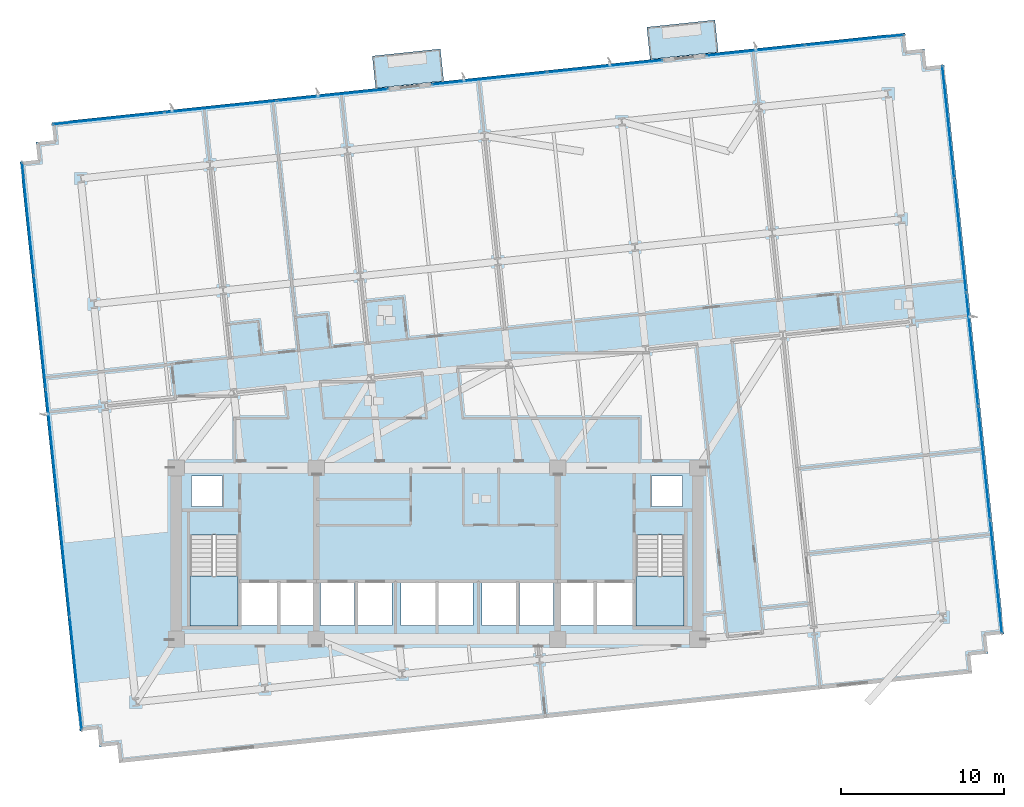
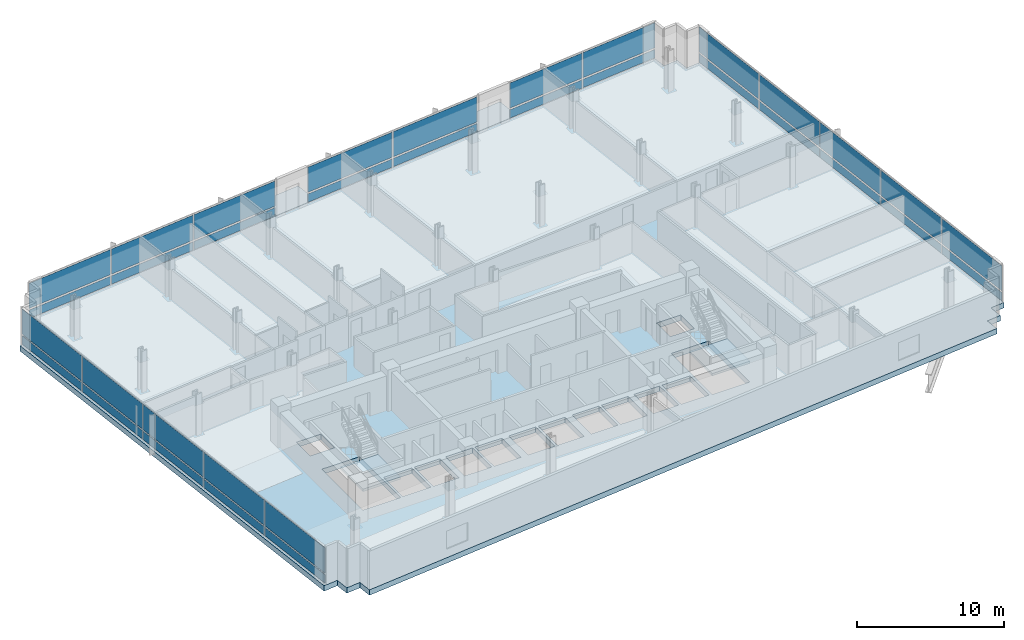
# One storey, part 9 of 18: 34 plates, 5 slabs, 7 elements without a shape of their own.
"""IFC4 building model written with IfcOpenShell, lengths in metres."""

from ifc_helpers import new_model, si_unit, direction, frame, origin, origin_2d, place, context, subcontext, project, spatial, polyline, rectangle, outline, extrude, material, layer, layer_set, type_object, element, aggregate, save


model = new_model("IFC4")

# Units and contexts
model_context = context("Model", 3, precision=1e-05, world=origin(), true_north=direction((0.0, 1.0)))
body_context = subcontext(model_context, "Body", "Model", "MODEL_VIEW")
ifc_project = project(units=[si_unit("LENGTHUNIT", "METRE"), si_unit("AREAUNIT", "SQUARE_METRE"), si_unit("VOLUMEUNIT", "CUBIC_METRE"), si_unit("PLANEANGLEUNIT", "RADIAN"), si_unit("MASSUNIT", "GRAM", prefix="KILO")], contexts=[model_context])

# Site, building, storey
site_placement = place(None, origin())
site = spatial("IfcSite", under=ifc_project, at=site_placement, CompositionType="ELEMENT")
building_placement = place(site_placement, origin())
building = spatial("IfcBuilding", under=site, at=building_placement, Name="Solmavex Isthmus Hotel", CompositionType="ELEMENT")
storey_placement = place(building_placement, frame((0.0, 0.0, 80.10009765625)))
storey = spatial("IfcBuildingStorey", under=building, at=storey_placement, Name="L21", CompositionType="ELEMENT", Elevation=80.10009765625)

# Curtain wall, plates
ifc_material_1 = material(Name="Aluminium alloy 6063-T6", Category="aluminium")
curtain_wall_type = type_object("IfcCurtainWallType", Name="CW-SYS-03", PredefinedType="NOTDEFINED", material=ifc_material_1)
curtain_wall_1_placement = place(storey_placement, origin())
curtain_wall_1 = element("IfcCurtainWall", 1, at=curtain_wall_1_placement, inside=storey, type_object=curtain_wall_type, Name="Stick Curtain Wall CWL-L21-N1", PredefinedType="NOTDEFINED")
ifc_material_2 = material(Name="Clear low-E laminated glass", Category="glass")
ifc_layer_1 = layer(ifc_material_2, 0.030029296875)
ifc_layer_set_1 = layer_set([ifc_layer_1], Name="Clear low-E laminated glass")
plate_type = type_object("IfcPlateType", Name="CW-SYS-03-PNL", PredefinedType="CURTAIN_PANEL", material=ifc_layer_set_1)
plate_1_placement = place(storey_placement, frame((-20.148193359375, 18.93701171875, 0.139892578125), z_axis=(0.0, 0.0, 1.0), x_axis=(0.994521910366, 0.10452832057, 0.0)))
plate_1 = element("IfcPlate", 2, at=plate_1_placement, type_object=plate_type, Name="CW-03 panel 1.1", PredefinedType="CURTAIN_PANEL", context=body_context, shape_type="SweptSolid", body=[
    extrude(rectangle(XDim=6.8173828125, YDim=0.030029296875, at=origin_2d()), origin(), (0.0, 0.0, 1.0), 0.68994140625),
])
plate_2_placement = place(storey_placement, frame((-20.148193359375, 18.93701171875, 0.969970703125), z_axis=(0.0, 0.0, 1.0), x_axis=(0.994521910366, 0.10452832057, 0.0)))
plate_2 = element("IfcPlate", 3, at=plate_2_placement, type_object=plate_type, Name="CW-03 panel 1.2", PredefinedType="CURTAIN_PANEL", context=body_context, shape_type="SweptSolid", body=[
    extrude(rectangle(XDim=6.8173828125, YDim=0.030029296875, at=origin_2d()), origin(), (0.0, 0.0, 1.0), 2.080078125),
])
plate_3_placement = place(storey_placement, frame((-13.28125, 19.65869140625, 0.139892578125), z_axis=(0.0, 0.0, 1.0), x_axis=(0.994521910366, 0.10452832057, 0.0)))
plate_3 = element("IfcPlate", 4, at=plate_3_placement, type_object=plate_type, Name="CW-03 panel 2.1", PredefinedType="CURTAIN_PANEL", context=body_context, shape_type="SweptSolid", body=[
    extrude(rectangle(XDim=6.852294921875, YDim=0.030029296875, at=origin_2d()), origin(), (0.0, 0.0, 1.0), 0.68994140625),
])
plate_4_placement = place(storey_placement, frame((-13.28125, 19.65869140625, 0.969970703125), z_axis=(0.0, 0.0, 1.0), x_axis=(0.994521910366, 0.10452832057, 0.0)))
plate_4 = element("IfcPlate", 5, at=plate_4_placement, type_object=plate_type, Name="CW-03 panel 2.2", PredefinedType="CURTAIN_PANEL", context=body_context, shape_type="SweptSolid", body=[
    extrude(rectangle(XDim=6.852294921875, YDim=0.030029296875, at=origin_2d()), origin(), (0.0, 0.0, 1.0), 2.080078125),
])
plate_5_placement = place(storey_placement, frame((-6.414306640625, 20.38037109375, 0.139892578125), z_axis=(0.0, 0.0, 1.0), x_axis=(0.994521910366, 0.10452832057, 0.0)))
plate_5 = element("IfcPlate", 6, at=plate_5_placement, type_object=plate_type, Name="CW-03 panel 3.1", PredefinedType="CURTAIN_PANEL", context=body_context, shape_type="SweptSolid", body=[
    extrude(rectangle(XDim=6.8173828125, YDim=0.030029296875, at=origin_2d()), origin(), (0.0, 0.0, 1.0), 0.68994140625),
])
plate_6_placement = place(storey_placement, frame((-6.414306640625, 20.38037109375, 0.969970703125), z_axis=(0.0, 0.0, 1.0), x_axis=(0.994521910366, 0.10452832057, 0.0)))
plate_6 = element("IfcPlate", 7, at=plate_6_placement, type_object=plate_type, Name="CW-03 panel 3.2", PredefinedType="CURTAIN_PANEL", context=body_context, shape_type="SweptSolid", body=[
    extrude(rectangle(XDim=6.8173828125, YDim=0.030029296875, at=origin_2d()), origin(), (0.0, 0.0, 1.0), 2.080078125),
])
aggregate(curtain_wall_1, [plate_1, plate_2, plate_3, plate_4, plate_5, plate_6])

curtain_wall_2_placement = place(storey_placement, origin())
curtain_wall_2 = element("IfcCurtainWall", 8, at=curtain_wall_2_placement, inside=storey, type_object=curtain_wall_type, Name="Stick Curtain Wall CWL-L21-N2", PredefinedType="NOTDEFINED")
plate_7_placement = place(storey_placement, frame((3.2119140625, 21.392333984375, 0.139892578125), z_axis=(0.0, 0.0, 1.0), x_axis=(0.994521838546, 0.10452900389, 0.0)))
plate_7 = element("IfcPlate", 9, at=plate_7_placement, type_object=plate_type, Name="CW-03 panel 1.1", PredefinedType="CURTAIN_PANEL", context=body_context, shape_type="SweptSolid", body=[
    extrude(rectangle(XDim=7.06103515625, YDim=0.030029296875, at=origin_2d()), origin(), (0.0, 0.0, 1.0), 0.68994140625),
])
plate_8_placement = place(storey_placement, frame((3.2119140625, 21.392333984375, 0.969970703125), z_axis=(0.0, 0.0, 1.0), x_axis=(0.994521838546, 0.10452900389, 0.0)))
plate_8 = element("IfcPlate", 10, at=plate_8_placement, type_object=plate_type, Name="CW-03 panel 1.2", PredefinedType="CURTAIN_PANEL", context=body_context, shape_type="SweptSolid", body=[
    extrude(rectangle(XDim=7.06103515625, YDim=0.030029296875, at=origin_2d()), origin(), (0.0, 0.0, 1.0), 2.080078125),
])
plate_9_placement = place(storey_placement, frame((10.303955078125, 22.1376953125, 0.139892578125), z_axis=(0.0, 0.0, 1.0), x_axis=(0.994521838546, 0.10452900389, 0.0)))
plate_9 = element("IfcPlate", 11, at=plate_9_placement, type_object=plate_type, Name="CW-03 panel 2.1", PredefinedType="CURTAIN_PANEL", context=body_context, shape_type="SweptSolid", body=[
    extrude(rectangle(XDim=7.06103515625, YDim=0.030029296875, at=origin_2d()), origin(), (0.0, 0.0, 1.0), 0.68994140625),
])
plate_10_placement = place(storey_placement, frame((10.303955078125, 22.1376953125, 0.969970703125), z_axis=(0.0, 0.0, 1.0), x_axis=(0.994521838546, 0.10452900389, 0.0)))
plate_10 = element("IfcPlate", 12, at=plate_10_placement, type_object=plate_type, Name="CW-03 panel 2.2", PredefinedType="CURTAIN_PANEL", context=body_context, shape_type="SweptSolid", body=[
    extrude(rectangle(XDim=7.06103515625, YDim=0.030029296875, at=origin_2d()), origin(), (0.0, 0.0, 1.0), 2.080078125),
])
aggregate(curtain_wall_2, [plate_7, plate_8, plate_9, plate_10])

curtain_wall_3_placement = place(storey_placement, origin())
curtain_wall_3 = element("IfcCurtainWall", 13, at=curtain_wall_3_placement, inside=storey, type_object=curtain_wall_type, Name="Stick Curtain Wall CWL-L21-N3", PredefinedType="NOTDEFINED")
plate_11_placement = place(storey_placement, frame((19.546142578125, 23.109130859375, 0.139892578125), z_axis=(0.0, 0.0, 1.0), x_axis=(0.994521931062, 0.104528123665, 0.0)))
plate_11 = element("IfcPlate", 14, at=plate_11_placement, type_object=plate_type, Name="CW-03 panel 1.1", PredefinedType="CURTAIN_PANEL", context=body_context, shape_type="SweptSolid", body=[
    extrude(rectangle(XDim=6.04541015625, YDim=0.030029296875, at=origin_2d()), origin(), (0.0, 0.0, 1.0), 0.68994140625),
])
plate_12_placement = place(storey_placement, frame((19.546142578125, 23.109130859375, 0.969970703125), z_axis=(0.0, 0.0, 1.0), x_axis=(0.994521931062, 0.104528123665, 0.0)))
plate_12 = element("IfcPlate", 15, at=plate_12_placement, type_object=plate_type, Name="CW-03 panel 1.2", PredefinedType="CURTAIN_PANEL", context=body_context, shape_type="SweptSolid", body=[
    extrude(rectangle(XDim=6.04541015625, YDim=0.030029296875, at=origin_2d()), origin(), (0.0, 0.0, 1.0), 2.080078125),
])
plate_13_placement = place(storey_placement, frame((25.628173828125, 23.748291015625, 0.139892578125), z_axis=(0.0, 0.0, 1.0), x_axis=(0.994521931062, 0.104528123665, 0.0)))
plate_13 = element("IfcPlate", 16, at=plate_13_placement, type_object=plate_type, Name="CW-03 panel 2.1", PredefinedType="CURTAIN_PANEL", context=body_context, shape_type="SweptSolid", body=[
    extrude(rectangle(XDim=6.04541015625, YDim=0.030029296875, at=origin_2d()), origin(), (0.0, 0.0, 1.0), 0.68994140625),
])
plate_14_placement = place(storey_placement, frame((25.628173828125, 23.748291015625, 0.969970703125), z_axis=(0.0, 0.0, 1.0), x_axis=(0.994521931062, 0.104528123665, 0.0)))
plate_14 = element("IfcPlate", 17, at=plate_14_placement, type_object=plate_type, Name="CW-03 panel 2.2", PredefinedType="CURTAIN_PANEL", context=body_context, shape_type="SweptSolid", body=[
    extrude(rectangle(XDim=6.04541015625, YDim=0.030029296875, at=origin_2d()), origin(), (0.0, 0.0, 1.0), 2.080078125),
])
aggregate(curtain_wall_3, [plate_11, plate_12, plate_13, plate_14])

curtain_wall_4_placement = place(storey_placement, origin())
curtain_wall_4 = element("IfcCurtainWall", 18, at=curtain_wall_4_placement, inside=storey, type_object=curtain_wall_type, Name="Stick Curtain Wall CWL-L21-W1", PredefinedType="NOTDEFINED")
plate_15_placement = place(storey_placement, frame((-22.15869140625, -15.1123046875, 0.139892578125), z_axis=(0.0, 0.0, 1.0), x_axis=(-0.104528485381, 0.994521893044, 0.0)))
plate_15 = element("IfcPlate", 19, at=plate_15_placement, type_object=plate_type, Name="CW-03 panel 1.1", PredefinedType="CURTAIN_PANEL", context=body_context, shape_type="SweptSolid", body=[
    extrude(rectangle(XDim=6.9150390625, YDim=0.030029296875, at=origin_2d()), origin(), (0.0, 0.0, 1.0), 0.68994140625),
])
plate_16_placement = place(storey_placement, frame((-22.15869140625, -15.1123046875, 0.969970703125), z_axis=(0.0, 0.0, 1.0), x_axis=(-0.104528485381, 0.994521893044, 0.0)))
plate_16 = element("IfcPlate", 20, at=plate_16_placement, type_object=plate_type, Name="CW-03 panel 1.2", PredefinedType="CURTAIN_PANEL", context=body_context, shape_type="SweptSolid", body=[
    extrude(rectangle(XDim=6.9150390625, YDim=0.030029296875, at=origin_2d()), origin(), (0.0, 0.0, 1.0), 2.080078125),
])
plate_17_placement = place(storey_placement, frame((-22.890625, -8.14794921875, 0.139892578125), z_axis=(0.0, 0.0, 1.0), x_axis=(-0.104528485381, 0.994521893044, 0.0)))
plate_17 = element("IfcPlate", 21, at=plate_17_placement, type_object=plate_type, Name="CW-03 panel 2.1", PredefinedType="CURTAIN_PANEL", context=body_context, shape_type="SweptSolid", body=[
    extrude(rectangle(XDim=6.949951171875, YDim=0.030029296875, at=origin_2d()), origin(), (0.0, 0.0, 1.0), 0.68994140625),
])
plate_18_placement = place(storey_placement, frame((-22.890625, -8.14794921875, 0.969970703125), z_axis=(0.0, 0.0, 1.0), x_axis=(-0.104528485381, 0.994521893044, 0.0)))
plate_18 = element("IfcPlate", 22, at=plate_18_placement, type_object=plate_type, Name="CW-03 panel 2.2", PredefinedType="CURTAIN_PANEL", context=body_context, shape_type="SweptSolid", body=[
    extrude(rectangle(XDim=6.949951171875, YDim=0.030029296875, at=origin_2d()), origin(), (0.0, 0.0, 1.0), 2.080078125),
])
plate_19_placement = place(storey_placement, frame((-23.62451171875, -1.16650390625, 0.139892578125), z_axis=(0.0, 0.0, 1.0), x_axis=(-0.104528485381, 0.994521893044, 0.0)))
plate_19 = element("IfcPlate", 23, at=plate_19_placement, type_object=plate_type, Name="CW-03 panel 3.1", PredefinedType="CURTAIN_PANEL", context=body_context, shape_type="SweptSolid", body=[
    extrude(rectangle(XDim=6.949951171875, YDim=0.030029296875, at=origin_2d()), origin(), (0.0, 0.0, 1.0), 0.68994140625),
])
plate_20_placement = place(storey_placement, frame((-23.62451171875, -1.16650390625, 0.969970703125), z_axis=(0.0, 0.0, 1.0), x_axis=(-0.104528485381, 0.994521893044, 0.0)))
plate_20 = element("IfcPlate", 24, at=plate_20_placement, type_object=plate_type, Name="CW-03 panel 3.2", PredefinedType="CURTAIN_PANEL", context=body_context, shape_type="SweptSolid", body=[
    extrude(rectangle(XDim=6.949951171875, YDim=0.030029296875, at=origin_2d()), origin(), (0.0, 0.0, 1.0), 2.080078125),
])
plate_21_placement = place(storey_placement, frame((-24.3583984375, 5.81494140625, 0.139892578125), z_axis=(0.0, 0.0, 1.0), x_axis=(-0.104528485381, 0.994521893044, 0.0)))
plate_21 = element("IfcPlate", 25, at=plate_21_placement, type_object=plate_type, Name="CW-03 panel 4.1", PredefinedType="CURTAIN_PANEL", context=body_context, shape_type="SweptSolid", body=[
    extrude(rectangle(XDim=6.949951171875, YDim=0.030029296875, at=origin_2d()), origin(), (0.0, 0.0, 1.0), 0.68994140625),
])
plate_22_placement = place(storey_placement, frame((-24.3583984375, 5.81494140625, 0.969970703125), z_axis=(0.0, 0.0, 1.0), x_axis=(-0.104528485381, 0.994521893044, 0.0)))
plate_22 = element("IfcPlate", 26, at=plate_22_placement, type_object=plate_type, Name="CW-03 panel 4.2", PredefinedType="CURTAIN_PANEL", context=body_context, shape_type="SweptSolid", body=[
    extrude(rectangle(XDim=6.949951171875, YDim=0.030029296875, at=origin_2d()), origin(), (0.0, 0.0, 1.0), 2.080078125),
])
plate_23_placement = place(storey_placement, frame((-25.09033203125, 12.779052734375, 0.139892578125), z_axis=(0.0, 0.0, 1.0), x_axis=(-0.104528485381, 0.994521893044, 0.0)))
plate_23 = element("IfcPlate", 27, at=plate_23_placement, type_object=plate_type, Name="CW-03 panel 5.1", PredefinedType="CURTAIN_PANEL", context=body_context, shape_type="SweptSolid", body=[
    extrude(rectangle(XDim=6.9150390625, YDim=0.030029296875, at=origin_2d()), origin(), (0.0, 0.0, 1.0), 0.68994140625),
])
plate_24_placement = place(storey_placement, frame((-25.09033203125, 12.779052734375, 0.969970703125), z_axis=(0.0, 0.0, 1.0), x_axis=(-0.104528485381, 0.994521893044, 0.0)))
plate_24 = element("IfcPlate", 28, at=plate_24_placement, type_object=plate_type, Name="CW-03 panel 5.2", PredefinedType="CURTAIN_PANEL", context=body_context, shape_type="SweptSolid", body=[
    extrude(rectangle(XDim=6.9150390625, YDim=0.030029296875, at=origin_2d()), origin(), (0.0, 0.0, 1.0), 2.080078125),
])
aggregate(curtain_wall_4, [plate_15, plate_16, plate_17, plate_18, plate_19, plate_20, plate_21, plate_22, plate_23, plate_24])

curtain_wall_5_placement = place(storey_placement, origin())
curtain_wall_5 = element("IfcCurtainWall", 29, at=curtain_wall_5_placement, inside=storey, type_object=curtain_wall_type, Name="Stick Curtain Wall CWL-L21-E1", PredefinedType="NOTDEFINED")
plate_25_placement = place(storey_placement, frame((34.290283203125, -9.17919921875, 0.139892578125), z_axis=(0.0, 0.0, 1.0), x_axis=(-0.104528485381, 0.994521893044, 0.0)))
plate_25 = element("IfcPlate", 30, at=plate_25_placement, type_object=plate_type, Name="CW-03 panel 1.1", PredefinedType="CURTAIN_PANEL", context=body_context, shape_type="SweptSolid", body=[
    extrude(rectangle(XDim=6.9150390625, YDim=0.030029296875, at=origin_2d()), origin(), (0.0, 0.0, 1.0), 0.68994140625),
])
plate_26_placement = place(storey_placement, frame((34.290283203125, -9.17919921875, 0.969970703125), z_axis=(0.0, 0.0, 1.0), x_axis=(-0.104528485381, 0.994521893044, 0.0)))
plate_26 = element("IfcPlate", 31, at=plate_26_placement, type_object=plate_type, Name="CW-03 panel 1.2", PredefinedType="CURTAIN_PANEL", context=body_context, shape_type="SweptSolid", body=[
    extrude(rectangle(XDim=6.9150390625, YDim=0.030029296875, at=origin_2d()), origin(), (0.0, 0.0, 1.0), 2.080078125),
])
plate_27_placement = place(storey_placement, frame((33.558349609375, -2.215087890625, 0.139892578125), z_axis=(0.0, 0.0, 1.0), x_axis=(-0.104528485381, 0.994521893044, 0.0)))
plate_27 = element("IfcPlate", 32, at=plate_27_placement, type_object=plate_type, Name="CW-03 panel 2.1", PredefinedType="CURTAIN_PANEL", context=body_context, shape_type="SweptSolid", body=[
    extrude(rectangle(XDim=6.949951171875, YDim=0.030029296875, at=origin_2d()), origin(), (0.0, 0.0, 1.0), 0.68994140625),
])
plate_28_placement = place(storey_placement, frame((33.558349609375, -2.215087890625, 0.969970703125), z_axis=(0.0, 0.0, 1.0), x_axis=(-0.104528485381, 0.994521893044, 0.0)))
plate_28 = element("IfcPlate", 33, at=plate_28_placement, type_object=plate_type, Name="CW-03 panel 2.2", PredefinedType="CURTAIN_PANEL", context=body_context, shape_type="SweptSolid", body=[
    extrude(rectangle(XDim=6.949951171875, YDim=0.030029296875, at=origin_2d()), origin(), (0.0, 0.0, 1.0), 2.080078125),
])
plate_29_placement = place(storey_placement, frame((32.824462890625, 4.7666015625, 0.139892578125), z_axis=(0.0, 0.0, 1.0), x_axis=(-0.104528485381, 0.994521893044, 0.0)))
plate_29 = element("IfcPlate", 34, at=plate_29_placement, type_object=plate_type, Name="CW-03 panel 3.1", PredefinedType="CURTAIN_PANEL", context=body_context, shape_type="SweptSolid", body=[
    extrude(rectangle(XDim=6.949951171875, YDim=0.030029296875, at=origin_2d()), origin(), (0.0, 0.0, 1.0), 0.68994140625),
])
plate_30_placement = place(storey_placement, frame((32.824462890625, 4.7666015625, 0.969970703125), z_axis=(0.0, 0.0, 1.0), x_axis=(-0.104528485381, 0.994521893044, 0.0)))
plate_30 = element("IfcPlate", 35, at=plate_30_placement, type_object=plate_type, Name="CW-03 panel 3.2", PredefinedType="CURTAIN_PANEL", context=body_context, shape_type="SweptSolid", body=[
    extrude(rectangle(XDim=6.949951171875, YDim=0.030029296875, at=origin_2d()), origin(), (0.0, 0.0, 1.0), 2.080078125),
])
plate_31_placement = place(storey_placement, frame((32.0908203125, 11.748046875, 0.139892578125), z_axis=(0.0, 0.0, 1.0), x_axis=(-0.104528485381, 0.994521893044, 0.0)))
plate_31 = element("IfcPlate", 36, at=plate_31_placement, type_object=plate_type, Name="CW-03 panel 4.1", PredefinedType="CURTAIN_PANEL", context=body_context, shape_type="SweptSolid", body=[
    extrude(rectangle(XDim=6.949951171875, YDim=0.030029296875, at=origin_2d()), origin(), (0.0, 0.0, 1.0), 0.68994140625),
])
plate_32_placement = place(storey_placement, frame((32.0908203125, 11.748046875, 0.969970703125), z_axis=(0.0, 0.0, 1.0), x_axis=(-0.104528485381, 0.994521893044, 0.0)))
plate_32 = element("IfcPlate", 37, at=plate_32_placement, type_object=plate_type, Name="CW-03 panel 4.2", PredefinedType="CURTAIN_PANEL", context=body_context, shape_type="SweptSolid", body=[
    extrude(rectangle(XDim=6.949951171875, YDim=0.030029296875, at=origin_2d()), origin(), (0.0, 0.0, 1.0), 2.080078125),
])
plate_33_placement = place(storey_placement, frame((31.35888671875, 18.712158203125, 0.139892578125), z_axis=(0.0, 0.0, 1.0), x_axis=(-0.104528485381, 0.994521893044, 0.0)))
plate_33 = element("IfcPlate", 38, at=plate_33_placement, type_object=plate_type, Name="CW-03 panel 5.1", PredefinedType="CURTAIN_PANEL", context=body_context, shape_type="SweptSolid", body=[
    extrude(rectangle(XDim=6.9150390625, YDim=0.030029296875, at=origin_2d()), origin(), (0.0, 0.0, 1.0), 0.68994140625),
])
plate_34_placement = place(storey_placement, frame((31.35888671875, 18.712158203125, 0.969970703125), z_axis=(0.0, 0.0, 1.0), x_axis=(-0.104528485381, 0.994521893044, 0.0)))
plate_34 = element("IfcPlate", 39, at=plate_34_placement, type_object=plate_type, Name="CW-03 panel 5.2", PredefinedType="CURTAIN_PANEL", context=body_context, shape_type="SweptSolid", body=[
    extrude(rectangle(XDim=6.9150390625, YDim=0.030029296875, at=origin_2d()), origin(), (0.0, 0.0, 1.0), 2.080078125),
])
aggregate(curtain_wall_5, [plate_25, plate_26, plate_27, plate_28, plate_29, plate_30, plate_31, plate_32, plate_33, plate_34])

# Slabs
ifc_material_3 = material(Name="Concrete C40/50", Category="concrete")
ifc_layer_2 = layer(ifc_material_3, 0.239990234375)
ifc_layer_set_2 = layer_set([ifc_layer_2], Name="Concrete C40/50")
slab_type_1 = type_object("IfcSlabType", Name="SLAB-BALC-240", PredefinedType="FLOOR", material=ifc_layer_set_2)
slab_1_placement = place(storey_placement, frame((0.0, 0.0, -0.239990234375)))
element("IfcSlab", 40, at=slab_1_placement, inside=storey, type_object=slab_type_1, Name="Tree-Planter Balcony Slab L21-B1", PredefinedType="FLOOR", context=body_context, shape_type="SweptSolid", body=[
    extrude(outline(polyline([(-3.764404296875, 20.794677734375), (0.41259765625, 21.23388671875), (0.205078125, 23.2080078125), (-3.9716796875, 22.768798828125), (-3.764404296875, 20.794677734375)])), origin(), (0.0, 0.0, 1.0), 0.239990234375),
])
slab_2_placement = place(storey_placement, frame((0.0, 0.0, -0.239990234375)))
element("IfcSlab", 41, at=slab_2_placement, inside=storey, type_object=slab_type_1, Name="Tree-Planter Balcony Slab L21-B2", PredefinedType="FLOOR", context=body_context, shape_type="SweptSolid", body=[
    extrude(outline(polyline([(13.074951171875, 22.564697265625), (17.251953125, 23.003662109375), (17.04443359375, 24.977783203125), (12.867431640625, 24.538818359375), (13.074951171875, 22.564697265625)])), origin(), (0.0, 0.0, 1.0), 0.239990234375),
])
ifc_material_4 = material(Name="Concrete C50/60", Category="concrete")
ifc_layer_3 = layer(ifc_material_4, 0.449951171875)
ifc_layer_set_3 = layer_set([ifc_layer_3], Name="Concrete C50/60")
slab_type_2 = type_object("IfcSlabType", Name="SLAB-XFER-360", PredefinedType="FLOOR", material=ifc_layer_set_3)
slab_3_placement = place(storey_placement, frame((0.0, 0.0, -0.4501953125)))
element("IfcSlab", 42, at=slab_3_placement, inside=storey, type_object=slab_type_2, Name="Tower Structural Floor Slab L21", PredefinedType="FLOOR", context=body_context, shape_type="SweptSolid", body=[
    extrude(outline(polyline([(-18.3974609375, -20.475830078125), (31.726318359375, -15.207763671875), (32.8203125, -15.0927734375), (32.705322265625, -13.998779296875), (33.79931640625, -13.8837890625), (33.684326171875, -12.789794921875), (34.7783203125, -12.6748046875), (34.663330078125, -11.580810546875), (31.224365234375, 21.138916015625), (31.109375, 22.23291015625), (30.015380859375, 22.117919921875), (29.900390625, 23.2119140625), (28.806396484375, 23.096923828125), (28.69140625, 24.19091796875), (27.597412109375, 24.075927734375), (-22.5263671875, 18.8076171875), (-23.620361328125, 18.692626953125), (-23.50537109375, 17.5986328125), (-24.599365234375, 17.483642578125), (-24.484375, 16.389892578125), (-25.578369140625, 16.27490234375), (-25.46337890625, 15.180908203125), (-22.0244140625, -17.5390625), (-21.909423828125, -18.6328125), (-20.8154296875, -18.517822265625), (-20.700439453125, -19.61181640625), (-19.6064453125, -19.496826171875), (-19.491455078125, -20.5908203125), (-18.3974609375, -20.475830078125)]), holes=[polyline([(-15.14990234375, -6.617919921875), (-15.14990234375, -12.199951171875), (-12.199951171875, -12.199951171875), (-12.199951171875, -6.617919921875), (-15.14990234375, -6.617919921875)]), polyline([(12.199951171875, -6.617919921875), (12.199951171875, -12.199951171875), (15.14990234375, -12.199951171875), (15.14990234375, -6.617919921875), (12.199951171875, -6.617919921875)]), polyline([(-12.0, -12.14990234375), (-9.800048828125, -12.14990234375), (-9.800048828125, -9.550048828125), (-12.0, -9.550048828125), (-12.0, -12.14990234375)]), polyline([(9.800048828125, -12.14990234375), (12.0, -12.14990234375), (12.0, -9.550048828125), (9.800048828125, -9.550048828125), (9.800048828125, -12.14990234375)]), polyline([(-9.60009765625, -12.14990234375), (-7.60009765625, -12.14990234375), (-7.60009765625, -9.550048828125), (-9.60009765625, -9.550048828125), (-9.60009765625, -12.14990234375)]), polyline([(7.60009765625, -12.14990234375), (9.60009765625, -12.14990234375), (9.60009765625, -9.550048828125), (7.60009765625, -9.550048828125), (7.60009765625, -12.14990234375)]), polyline([(-7.14990234375, -12.14990234375), (-5.050048828125, -12.14990234375), (-5.050048828125, -9.550048828125), (-7.14990234375, -9.550048828125), (-7.14990234375, -12.14990234375)]), polyline([(-4.85009765625, -12.14990234375), (-2.75, -12.14990234375), (-2.75, -9.550048828125), (-4.85009765625, -9.550048828125), (-4.85009765625, -12.14990234375)]), polyline([(-2.199951171875, -12.14990234375), (-0.10009765625, -12.14990234375), (-0.10009765625, -9.550048828125), (-2.199951171875, -9.550048828125), (-2.199951171875, -12.14990234375)]), polyline([(0.10009765625, -12.14990234375), (2.199951171875, -12.14990234375), (2.199951171875, -9.550048828125), (0.10009765625, -9.550048828125), (0.10009765625, -12.14990234375)]), polyline([(2.75, -12.14990234375), (4.85009765625, -12.14990234375), (4.85009765625, -9.550048828125), (2.75, -9.550048828125), (2.75, -12.14990234375)]), polyline([(5.050048828125, -12.14990234375), (7.14990234375, -12.14990234375), (7.14990234375, -9.550048828125), (5.050048828125, -9.550048828125), (5.050048828125, -12.14990234375)]), polyline([(-15.050048828125, -4.85009765625), (-13.14990234375, -4.85009765625), (-13.14990234375, -3.0), (-15.050048828125, -3.0), (-15.050048828125, -4.85009765625)]), polyline([(13.14990234375, -4.85009765625), (15.050048828125, -4.85009765625), (15.050048828125, -3.0), (13.14990234375, -3.0), (13.14990234375, -4.85009765625)])]), origin(), (0.0, 0.0, 1.0), 0.4501953125),
])

# Stair, slab
stair_type_1 = type_object("IfcStairType", Name="STR-ST-1", PredefinedType="HALF_TURN_STAIR", material=ifc_material_3)
stair_1_placement = place(storey_placement, origin())
stair_1 = element("IfcStair", 43, at=stair_1_placement, inside=storey, type_object=stair_type_1, Name="L21 Protected Exit Stair ST-1", PredefinedType="HALF_TURN_STAIR")
ifc_layer_4 = layer(ifc_material_3, 0.219970703125)
ifc_layer_set_4 = layer_set([ifc_layer_4], Name="Concrete C40/50")
slab_type_3 = type_object("IfcSlabType", Name="SLD-ST-1", PredefinedType="LANDING", material=ifc_layer_set_4)
slab_4_placement = place(storey_placement, frame((0.0, 0.0, 1.52490234375)))
slab_4 = element("IfcSlab", 44, at=slab_4_placement, type_object=slab_type_3, Name="ST-1 landing 1", PredefinedType="LANDING", context=body_context, shape_type="SweptSolid", body=[
    extrude(outline(polyline([(-15.14990234375, -9.1201171875), (-15.14990234375, -12.199951171875), (-12.199951171875, -12.199951171875), (-12.199951171875, -9.1201171875), (-15.14990234375, -9.1201171875)])), origin(), (0.0, 0.0, 1.0), 0.199951171875),
])
aggregate(stair_1, [slab_4])

stair_type_2 = type_object("IfcStairType", Name="STR-ST-2", PredefinedType="HALF_TURN_STAIR", material=ifc_material_3)
stair_2_placement = place(storey_placement, origin())
stair_2 = element("IfcStair", 45, at=stair_2_placement, inside=storey, type_object=stair_type_2, Name="L21 Protected Exit Stair ST-2", PredefinedType="HALF_TURN_STAIR")
ifc_layer_5 = layer(ifc_material_3, 0.219970703125)
ifc_layer_set_5 = layer_set([ifc_layer_5], Name="Concrete C40/50")
slab_type_4 = type_object("IfcSlabType", Name="SLD-ST-2", PredefinedType="LANDING", material=ifc_layer_set_5)
slab_5_placement = place(storey_placement, frame((0.0, 0.0, 1.52490234375)))
slab_5 = element("IfcSlab", 46, at=slab_5_placement, type_object=slab_type_4, Name="ST-2 landing 1", PredefinedType="LANDING", context=body_context, shape_type="SweptSolid", body=[
    extrude(outline(polyline([(12.199951171875, -9.1201171875), (12.199951171875, -12.199951171875), (15.14990234375, -12.199951171875), (15.14990234375, -9.1201171875), (12.199951171875, -9.1201171875)])), origin(), (0.0, 0.0, 1.0), 0.199951171875),
])
aggregate(stair_2, [slab_5])

save(model, "model.ifc")
